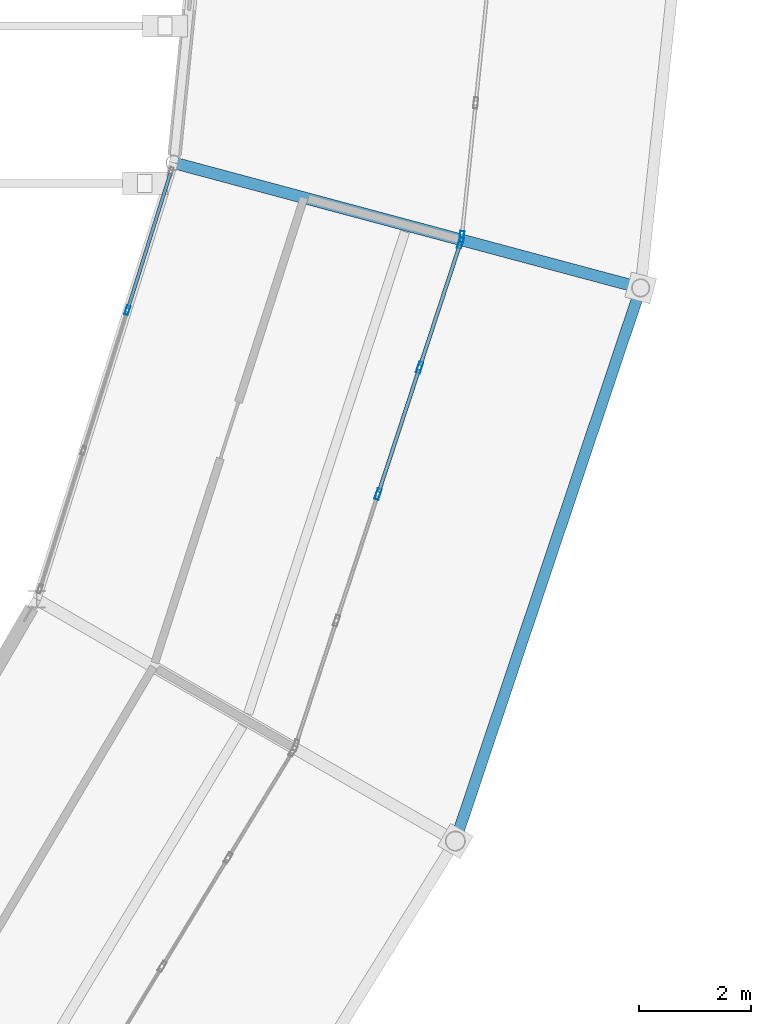
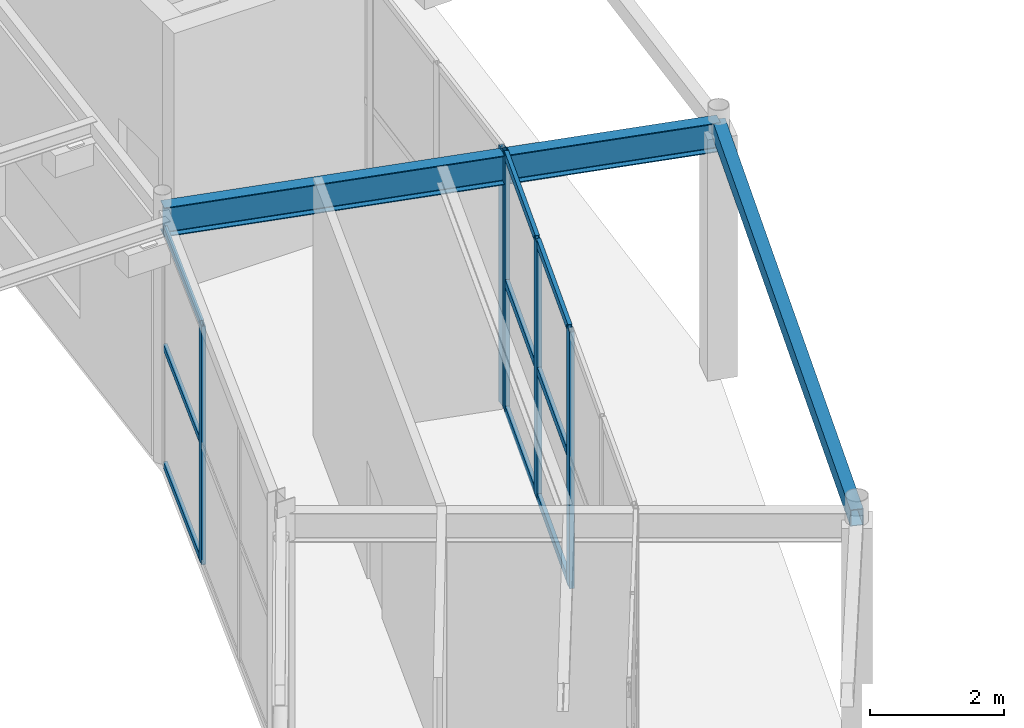
# One storey, part 63 of 144: 14 members, 2 beams, 3 elements without a shape of their own.
"""IFC4 building model written with IfcOpenShell, lengths in metres."""

from ifc_helpers import new_model, si_unit, direction, frame, origin, origin_2d, place, context, subcontext, project, spatial, hollow_rectangle, i_section, extrude, material, material_profile, profile_set, type_object, element, aggregate, save


model = new_model("IFC4")

# Units and contexts
model_context = context("Model", 3, precision=1e-05, world=origin(), true_north=direction((0.0, 1.0)))
body_context = subcontext(model_context, "Body", "Model", "MODEL_VIEW")
ifc_project = project(units=[si_unit("LENGTHUNIT", "METRE"), si_unit("AREAUNIT", "SQUARE_METRE"), si_unit("VOLUMEUNIT", "CUBIC_METRE"), si_unit("PLANEANGLEUNIT", "RADIAN"), si_unit("MASSUNIT", "GRAM", prefix="KILO")], contexts=[model_context])

# Site, building, storey
site_placement = place(None, origin())
site = spatial("IfcSite", under=ifc_project, at=site_placement, CompositionType="ELEMENT")
building_placement = place(site_placement, origin())
building = spatial("IfcBuilding", under=site, at=building_placement, Name="Karori Crest Natural Sciences Institute", CompositionType="ELEMENT")
storey_placement = place(building_placement, origin())
storey = spatial("IfcBuildingStorey", under=building, at=storey_placement, Name="L00", CompositionType="ELEMENT", Elevation=0.0)

# Beams
ifc_material_1 = material(Name="Structural steel AS/NZS 3679.1 Grade 350", Category="steel")
ifc_material_profile_1 = material_profile(ifc_material_1, i_section(OverallWidth=0.208984375, OverallDepth=0.532958984375, WebThickness=0.01025390625, FlangeThickness=0.015625, FilletRadius=0.013916015625, at=origin_2d()), Name="530UB92.4")
ifc_profile_set_1 = profile_set([ifc_material_profile_1], Name="Structural steel AS/NZS 3679.1 Grade 350")
beam_type_1 = type_object("IfcBeamType", Name="BT-05", PredefinedType="BEAM", material=ifc_profile_set_1)
beam_1_placement = place(storey_placement, frame((89.968505859375, 41.56591796875, 4.37353515625), z_axis=(0.96592752402, -0.258812709002, 0.0), x_axis=(0.258812709002, 0.96592752402, 0.0)))
element("IfcBeam", 1, at=beam_1_placement, inside=storey, type_object=beam_type_1, Name="Beam B-0180", PredefinedType="BEAM", context=body_context, shape_type="SweptSolid", body=[
    extrude(i_section(OverallWidth=0.208984375, OverallDepth=0.532958984375, WebThickness=0.01025390625, FlangeThickness=0.015625, FilletRadius=0.013916015625, at=origin_2d()), origin(), (0.0, 0.0, 1.0), 8.60009765625),
])
ifc_material_2 = material(Name="Hollow structural steel AS/NZS 1163 Grade C350", Category="steel")
ifc_material_profile_2 = material_profile(ifc_material_2, hollow_rectangle(XDim=0.199951171875, YDim=0.300048828125, WallThickness=0.010009765625, at=origin_2d()), Name="RHS300x200x10")
ifc_profile_set_2 = profile_set([ifc_material_profile_2], Name="Hollow structural steel AS/NZS 1163 Grade C350")
beam_type_2 = type_object("IfcBeamType", Name="BT-15", PredefinedType="SPANDREL", material=ifc_profile_set_2)
beam_2_placement = place(storey_placement, frame((94.978759765625, 29.5, 4.489990234375), z_axis=(0.317688324477, 0.948195195353, 0.0), x_axis=(-0.948195195353, 0.317688324477, 0.0)))
element("IfcBeam", 2, at=beam_2_placement, inside=storey, type_object=beam_type_2, Name="Beam B-0174", PredefinedType="SPANDREL", context=body_context, shape_type="SweptSolid", body=[
    extrude(hollow_rectangle(XDim=0.199951171875, YDim=0.300048828125, WallThickness=0.010009765625, at=origin_2d()), origin(), (0.0, 0.0, 1.0), 10.377685546875),
])

# Curtain wall, member
ifc_material_3 = material(Name="Anodised architectural aluminium 6063-T6", Category="aluminium")
curtain_wall_type_1 = type_object("IfcCurtainWallType", Name="CWT-13", PredefinedType="NOTDEFINED", material=ifc_material_3)
curtain_wall_1_placement = place(storey_placement, origin())
curtain_wall_1 = element("IfcCurtainWall", 3, at=curtain_wall_1_placement, inside=storey, type_object=curtain_wall_type_1, Name="Curtain wall CW-0029", PredefinedType="NOTDEFINED")
ifc_material_profile_3 = material_profile(ifc_material_3, hollow_rectangle(XDim=0.06494140625, YDim=0.159912109375, WallThickness=0.00390625, at=origin_2d()), Name="CWM160x65x4")
ifc_profile_set_3 = profile_set([ifc_material_profile_3], Name="Anodised architectural aluminium 6063-T6")
member_type_1 = type_object("IfcMemberType", Name="CWM-01", PredefinedType="MULLION", material=ifc_profile_set_3)
member_1_placement = place(storey_placement, frame((89.14501953125, 38.9423828125, 0.0), z_axis=(0.0, 0.0, 1.0), x_axis=(-0.954103649609, 0.2994765864, 0.0)))
member_1 = element("IfcMember", 4, at=member_1_placement, type_object=member_type_1, Name="CW-0029 mullion 3", PredefinedType="MULLION", context=body_context, shape_type="SweptSolid", body=[
    extrude(hollow_rectangle(XDim=0.06494140625, YDim=0.159912109375, WallThickness=0.00390625, at=origin_2d()), origin(), (0.0, 0.0, 1.0), 4.35009765625),
])

# Curtain wall, members
curtain_wall_type_2 = type_object("IfcCurtainWallType", Name="CWT-03", PredefinedType="NOTDEFINED", material=ifc_material_3)
curtain_wall_2_placement = place(storey_placement, origin())
curtain_wall_2 = element("IfcCurtainWall", 5, at=curtain_wall_2_placement, inside=storey, type_object=curtain_wall_type_2, Name="Curtain wall CW-0028", PredefinedType="NOTDEFINED")
ifc_material_profile_4 = material_profile(ifc_material_3, hollow_rectangle(XDim=0.074951171875, YDim=0.199951171875, WallThickness=0.0048828125, at=origin_2d()), Name="CWM200x75x5")
ifc_profile_set_4 = profile_set([ifc_material_profile_4], Name="Anodised architectural aluminium 6063-T6")
member_type_2 = type_object("IfcMemberType", Name="CWM-02", PredefinedType="MULLION", material=ifc_profile_set_4)
member_2_placement = place(storey_placement, frame((95.070068359375, 40.1396484375, 0.0), z_axis=(0.0, 0.0, 1.0), x_axis=(0.950175969879, -0.311714013584, 0.0)))
member_2 = element("IfcMember", 6, at=member_2_placement, type_object=member_type_2, Name="CW-0028 mullion 1", PredefinedType="MULLION", context=body_context, shape_type="SweptSolid", body=[
    extrude(hollow_rectangle(XDim=0.074951171875, YDim=0.199951171875, WallThickness=0.0048828125, at=origin_2d()), origin(), (0.0, 0.0, 1.0), 4.679931640625),
])
member_3_placement = place(storey_placement, frame((94.34326171875, 37.923828125, 0.0), z_axis=(0.0, 0.0, 1.0), x_axis=(0.950175969879, -0.311714013584, 0.0)))
member_3 = element("IfcMember", 7, at=member_3_placement, type_object=member_type_2, Name="CW-0028 mullion 2", PredefinedType="MULLION", context=body_context, shape_type="SweptSolid", body=[
    extrude(hollow_rectangle(XDim=0.074951171875, YDim=0.199951171875, WallThickness=0.0048828125, at=origin_2d()), origin(), (0.0, 0.0, 1.0), 4.679931640625),
])
member_4_placement = place(storey_placement, frame((93.6044921875, 35.672119140625, 0.0), z_axis=(0.0, 0.0, 1.0), x_axis=(0.950175969879, -0.311714013584, 0.0)))
member_4 = element("IfcMember", 8, at=member_4_placement, type_object=member_type_2, Name="CW-0028 mullion 3", PredefinedType="MULLION", context=body_context, shape_type="SweptSolid", body=[
    extrude(hollow_rectangle(XDim=0.074951171875, YDim=0.199951171875, WallThickness=0.0048828125, at=origin_2d()), origin(), (0.0, 0.0, 1.0), 4.679931640625),
])

# Curtain wall, member
curtain_wall_type_3 = type_object("IfcCurtainWallType", Name="CWT-04", PredefinedType="NOTDEFINED", material=ifc_material_3)
curtain_wall_3_placement = place(storey_placement, origin())
curtain_wall_3 = element("IfcCurtainWall", 9, at=curtain_wall_3_placement, inside=storey, type_object=curtain_wall_type_3, Name="Curtain wall CW-0030", PredefinedType="NOTDEFINED")
member_5_placement = place(storey_placement, frame((95.093994140625, 40.25146484375, 0.0), z_axis=(0.0, 0.0, 1.0), x_axis=(0.994608485589, -0.103701303727, 0.0)))
member_5 = element("IfcMember", 10, at=member_5_placement, type_object=member_type_2, Name="CW-0030 mullion 5", PredefinedType="MULLION", context=body_context, shape_type="SweptSolid", body=[
    extrude(hollow_rectangle(XDim=0.074951171875, YDim=0.199951171875, WallThickness=0.0048828125, at=origin_2d()), origin(), (0.0, 0.0, 1.0), 4.679931640625),
])
aggregate(curtain_wall_3, [member_5])

# Member
ifc_material_profile_5 = material_profile(ifc_material_3, hollow_rectangle(XDim=0.06005859375, YDim=0.1201171875, WallThickness=0.00390625, at=origin_2d()), Name="CWT120x60x4")
ifc_profile_set_5 = profile_set([ifc_material_profile_5], Name="Anodised architectural aluminium 6063-T6")
member_type_3 = type_object("IfcMemberType", Name="CWT-TR1", PredefinedType="USERDEFINED", material=ifc_profile_set_5)
member_6_placement = place(storey_placement, frame((89.15478515625, 38.973388671875, 0.030029296875), z_axis=(0.299511422276, 0.954092714534, 0.0), x_axis=(-0.954092714534, 0.299511422276, 0.0)))
member_6 = element("IfcMember", 11, at=member_6_placement, type_object=member_type_3, Name="CW-0029 transom 3.1", ObjectType="TRANSOM", PredefinedType="USERDEFINED", context=body_context, shape_type="SweptSolid", body=[
    extrude(hollow_rectangle(XDim=0.06005859375, YDim=0.1201171875, WallThickness=0.00390625, at=origin_2d()), origin(), (0.0, 0.0, 1.0), 2.517822265625),
])

member_7_placement = place(storey_placement, frame((89.15478515625, 38.973388671875, 2.175048828125), z_axis=(0.299511422276, 0.954092714534, 0.0), x_axis=(-0.954092714534, 0.299511422276, 0.0)))
member_7 = element("IfcMember", 12, at=member_7_placement, type_object=member_type_3, Name="CW-0029 transom 3.2", ObjectType="TRANSOM", PredefinedType="USERDEFINED", context=body_context, shape_type="SweptSolid", body=[
    extrude(hollow_rectangle(XDim=0.06005859375, YDim=0.1201171875, WallThickness=0.00390625, at=origin_2d()), origin(), (0.0, 0.0, 1.0), 2.517822265625),
])

member_8_placement = place(storey_placement, frame((89.15478515625, 38.973388671875, 4.320068359375), z_axis=(0.299511422276, 0.954092714534, 0.0), x_axis=(-0.954092714534, 0.299511422276, 0.0)))
member_8 = element("IfcMember", 13, at=member_8_placement, type_object=member_type_3, Name="CW-0029 transom 3.3", ObjectType="TRANSOM", PredefinedType="USERDEFINED", context=body_context, shape_type="SweptSolid", body=[
    extrude(hollow_rectangle(XDim=0.06005859375, YDim=0.1201171875, WallThickness=0.00390625, at=origin_2d()), origin(), (0.0, 0.0, 1.0), 2.517822265625),
])

aggregate(curtain_wall_1, [member_1, member_6, member_7, member_8])

ifc_material_profile_6 = material_profile(ifc_material_3, hollow_rectangle(XDim=0.06494140625, YDim=0.14990234375, WallThickness=0.00390625, at=origin_2d()), Name="CWT150x65x4")
ifc_profile_set_6 = profile_set([ifc_material_profile_6], Name="Anodised architectural aluminium 6063-T6")
member_type_4 = type_object("IfcMemberType", Name="CWT-TR2", PredefinedType="USERDEFINED", material=ifc_profile_set_6)
member_9_placement = place(storey_placement, frame((95.058349609375, 40.10400390625, 0.032470703125), z_axis=(-0.311746003842, -0.950165474583, 0.0), x_axis=(0.950165474583, -0.311746003842, 0.0)))
member_9 = element("IfcMember", 14, at=member_9_placement, type_object=member_type_4, Name="CW-0028 transom 1.1", ObjectType="TRANSOM", PredefinedType="USERDEFINED", context=body_context, shape_type="SweptSolid", body=[
    extrude(hollow_rectangle(XDim=0.06494140625, YDim=0.14990234375, WallThickness=0.00390625, at=origin_2d()), origin(), (0.0, 0.0, 1.0), 2.257080078125),
])

member_10_placement = place(storey_placement, frame((95.058349609375, 40.10400390625, 2.340087890625), z_axis=(-0.311746003842, -0.950165474583, 0.0), x_axis=(0.950165474583, -0.311746003842, 0.0)))
member_10 = element("IfcMember", 15, at=member_10_placement, type_object=member_type_4, Name="CW-0028 transom 1.2", ObjectType="TRANSOM", PredefinedType="USERDEFINED", context=body_context, shape_type="SweptSolid", body=[
    extrude(hollow_rectangle(XDim=0.06494140625, YDim=0.14990234375, WallThickness=0.00390625, at=origin_2d()), origin(), (0.0, 0.0, 1.0), 2.257080078125),
])

member_11_placement = place(storey_placement, frame((95.058349609375, 40.10400390625, 4.6474609375), z_axis=(-0.311746003842, -0.950165474583, 0.0), x_axis=(0.950165474583, -0.311746003842, 0.0)))
member_11 = element("IfcMember", 16, at=member_11_placement, type_object=member_type_4, Name="CW-0028 transom 1.3", ObjectType="TRANSOM", PredefinedType="USERDEFINED", context=body_context, shape_type="SweptSolid", body=[
    extrude(hollow_rectangle(XDim=0.06494140625, YDim=0.14990234375, WallThickness=0.00390625, at=origin_2d()), origin(), (0.0, 0.0, 1.0), 2.257080078125),
])

member_12_placement = place(storey_placement, frame((94.33154296875, 37.88818359375, 0.032470703125), z_axis=(-0.311723893704, -0.950172728557, 0.0), x_axis=(0.950172728557, -0.311723893704, 0.0)))
member_12 = element("IfcMember", 17, at=member_12_placement, type_object=member_type_4, Name="CW-0028 transom 2.1", ObjectType="TRANSOM", PredefinedType="USERDEFINED", context=body_context, shape_type="SweptSolid", body=[
    extrude(hollow_rectangle(XDim=0.06494140625, YDim=0.14990234375, WallThickness=0.00390625, at=origin_2d()), origin(), (0.0, 0.0, 1.0), 2.294677734375),
])

member_13_placement = place(storey_placement, frame((94.33154296875, 37.88818359375, 2.340087890625), z_axis=(-0.311723893704, -0.950172728557, 0.0), x_axis=(0.950172728557, -0.311723893704, 0.0)))
member_13 = element("IfcMember", 18, at=member_13_placement, type_object=member_type_4, Name="CW-0028 transom 2.2", ObjectType="TRANSOM", PredefinedType="USERDEFINED", context=body_context, shape_type="SweptSolid", body=[
    extrude(hollow_rectangle(XDim=0.06494140625, YDim=0.14990234375, WallThickness=0.00390625, at=origin_2d()), origin(), (0.0, 0.0, 1.0), 2.294677734375),
])

member_14_placement = place(storey_placement, frame((94.33154296875, 37.88818359375, 4.6474609375), z_axis=(-0.311723893704, -0.950172728557, 0.0), x_axis=(0.950172728557, -0.311723893704, 0.0)))
member_14 = element("IfcMember", 19, at=member_14_placement, type_object=member_type_4, Name="CW-0028 transom 2.3", ObjectType="TRANSOM", PredefinedType="USERDEFINED", context=body_context, shape_type="SweptSolid", body=[
    extrude(hollow_rectangle(XDim=0.06494140625, YDim=0.14990234375, WallThickness=0.00390625, at=origin_2d()), origin(), (0.0, 0.0, 1.0), 2.294677734375),
])

aggregate(curtain_wall_2, [member_2, member_3, member_4, member_9, member_10, member_11, member_12, member_13, member_14])

save(model, "model.ifc")
